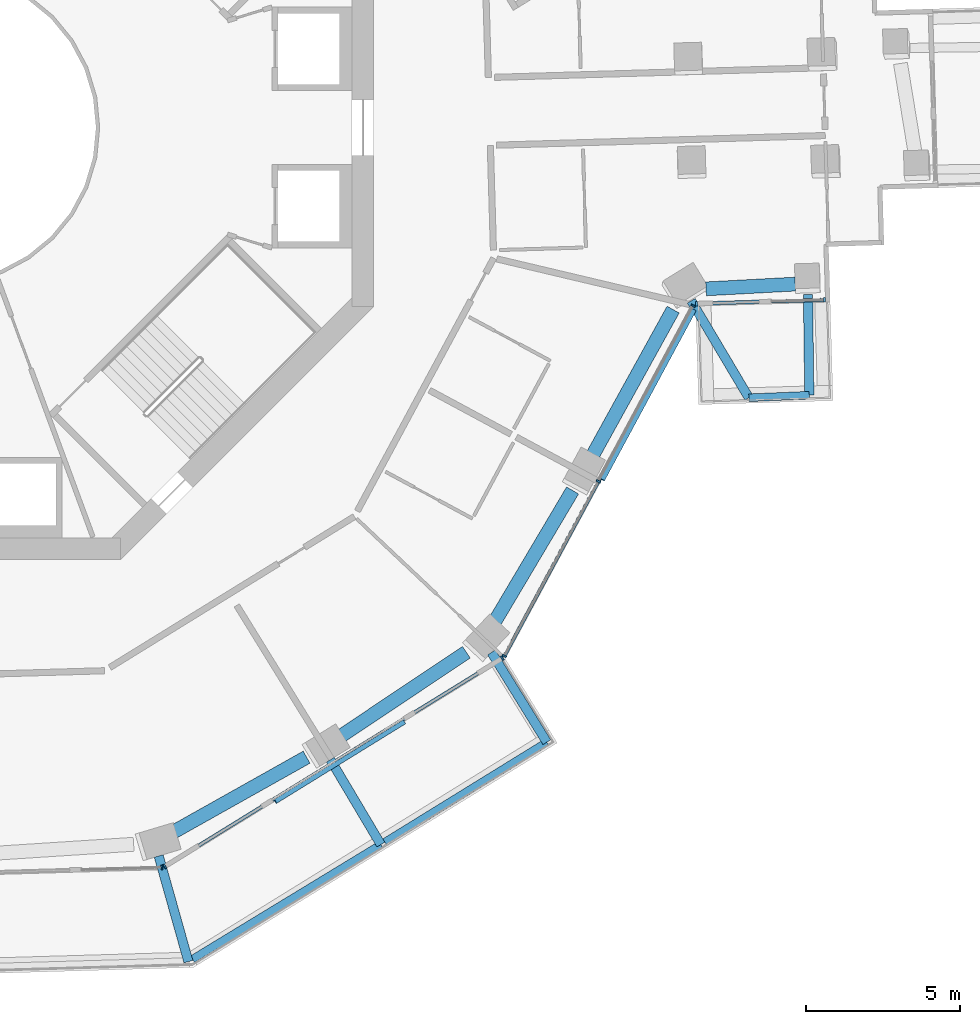
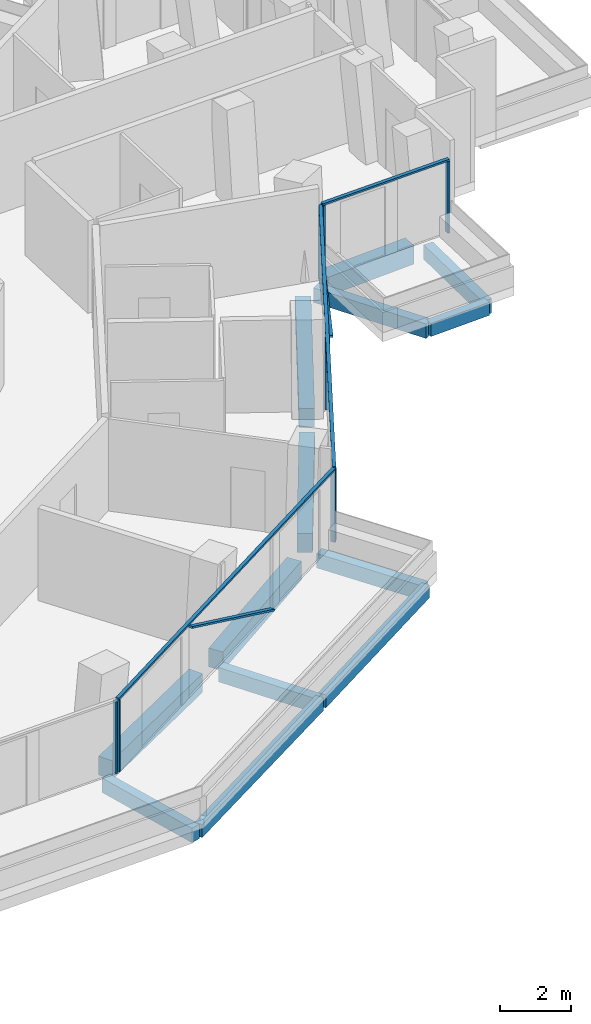
# One storey, part 5 of 22: 13 beams, 13 members, 4 elements without a shape of their own.
"""IFC4 building model written with IfcOpenShell, lengths in metres."""

from ifc_helpers import new_model, si_unit, direction, frame, origin, origin_2d, place, context, subcontext, project, spatial, rectangle, extrude, material, layer, layer_set, material_profile, profile_set, type_object, element, aggregate, save


model = new_model("IFC4")

# Units and contexts
model_context = context("Model", 3, precision=1e-05, world=origin(), true_north=direction((0.0, 1.0)))
body_context = subcontext(model_context, "Body", "Model", "MODEL_VIEW")
ifc_project = project(units=[si_unit("LENGTHUNIT", "METRE"), si_unit("AREAUNIT", "SQUARE_METRE"), si_unit("VOLUMEUNIT", "CUBIC_METRE"), si_unit("PLANEANGLEUNIT", "RADIAN"), si_unit("MASSUNIT", "GRAM", prefix="KILO")], contexts=[model_context])

# Site, building, storey
site_placement = place(None, origin())
site = spatial("IfcSite", under=ifc_project, at=site_placement, CompositionType="ELEMENT")
building_placement = place(site_placement, origin())
building = spatial("IfcBuilding", under=site, at=building_placement, Name="Verdalira Terraces Hotel", CompositionType="ELEMENT")
storey_placement = place(building_placement, frame((0.0, 0.0, 162.0)))
storey = spatial("IfcBuildingStorey", under=building, at=storey_placement, Name="L39", CompositionType="ELEMENT", Elevation=162.0)

# Beams
ifc_material_1 = material(Name="Concrete C40", Category="concrete")
ifc_material_profile_1 = material_profile(ifc_material_1, rectangle(XDim=0.300049, YDim=0.5, at=origin_2d()), Name="RC 300X500")
ifc_profile_set_1 = profile_set([ifc_material_profile_1], Name="Concrete C40")
beam_type_1 = type_object("IfcBeamType", Name="Balcony cantilever beam RC 300X500 C40", PredefinedType="BEAM", material=ifc_profile_set_1)
beam_1_placement = place(storey_placement, frame((7.031494, -23.61792, -0.560059), z_axis=(0.270938396, -0.962596689, 0.0), x_axis=(0.962596689, 0.270938396, 0.0)))
element("IfcBeam", 1, at=beam_1_placement, inside=storey, type_object=beam_type_1, Name="Balcony cantilever beam R25-3", PredefinedType="BEAM", context=body_context, shape_type="SweptSolid", body=[
    extrude(rectangle(XDim=0.300049, YDim=0.5, at=origin_2d()), origin(), (0.0, 0.0, 1.0), 3.556641),
])
beam_2_placement = place(storey_placement, frame((12.598389, -20.495605, -0.560059), z_axis=(0.510811886, -0.859692513, 0.0), x_axis=(0.859692513, 0.510811886, 0.0)))
element("IfcBeam", 2, at=beam_2_placement, inside=storey, type_object=beam_type_1, Name="Balcony cantilever beam R25-4", PredefinedType="BEAM", context=body_context, shape_type="SweptSolid", body=[
    extrude(rectangle(XDim=0.300049, YDim=0.5, at=origin_2d()), origin(), (0.0, 0.0, 1.0), 3.200928),
])
beam_3_placement = place(storey_placement, frame((17.81958, -17.018555, -0.560059), z_axis=(0.525193199, -0.850983022, 0.0), x_axis=(0.850983022, 0.525193199, 0.0)))
element("IfcBeam", 3, at=beam_3_placement, inside=storey, type_object=beam_type_1, Name="Balcony cantilever beam R25-5", PredefinedType="BEAM", context=body_context, shape_type="SweptSolid", body=[
    extrude(rectangle(XDim=0.300049, YDim=0.5, at=origin_2d()), origin(), (0.0, 0.0, 1.0), 3.417236),
])
beam_4_placement = place(storey_placement, frame((24.296387, -5.618896, -0.560059), z_axis=(0.510867361, -0.859659548, 0.0), x_axis=(0.859659548, 0.510867361, 0.0)))
element("IfcBeam", 4, at=beam_4_placement, inside=storey, type_object=beam_type_1, Name="Balcony cantilever beam R28-1", PredefinedType="BEAM", context=body_context, shape_type="SweptSolid", body=[
    extrude(rectangle(XDim=0.300049, YDim=0.5, at=origin_2d()), origin(), (0.0, 0.0, 1.0), 3.656006),
])
beam_5_placement = place(storey_placement, frame((28.081543, -5.410645, -0.560059), z_axis=(0.012622239, -0.999920336, 0.0), x_axis=(0.999920336, 0.012622239, 0.0)))
element("IfcBeam", 5, at=beam_5_placement, inside=storey, type_object=beam_type_1, Name="Balcony cantilever beam R28-2", PredefinedType="BEAM", context=body_context, shape_type="SweptSolid", body=[
    extrude(rectangle(XDim=0.300049, YDim=0.5, at=origin_2d()), origin(), (0.0, 0.0, 1.0), 3.268799),
])
ifc_material_2 = material(Name="Concrete C40", Category="concrete")
ifc_material_profile_2 = material_profile(ifc_material_2, rectangle(XDim=0.25, YDim=0.449951, at=origin_2d()), Name="RC 250X450")
ifc_profile_set_2 = profile_set([ifc_material_profile_2], Name="Concrete C40")
beam_type_2 = type_object("IfcBeamType", Name="Balcony edge beam RC 250X450 C40", PredefinedType="BEAM", material=ifc_profile_set_2)
beam_6_placement = place(storey_placement, frame((8.128174, -26.960693, -0.534912), z_axis=(0.854375318, 0.51965644, 0.0), x_axis=(-0.51965644, 0.854375318, 0.0)))
element("IfcBeam", 6, at=beam_6_placement, inside=storey, type_object=beam_type_2, Name="Balcony edge beam R25-3", PredefinedType="BEAM", context=body_context, shape_type="SweptSolid", body=[
    extrude(rectangle(XDim=0.25, YDim=0.449951, at=origin_2d()), origin(), (0.0, 0.0, 1.0), 7.145752),
])
beam_7_placement = place(storey_placement, frame((14.361084, -23.168457, -0.534912), z_axis=(0.850990884, 0.52518046, 0.0), x_axis=(-0.52518046, 0.850990884, 0.0)))
element("IfcBeam", 7, at=beam_7_placement, inside=storey, type_object=beam_type_2, Name="Balcony edge beam R25-4", PredefinedType="BEAM", context=body_context, shape_type="SweptSolid", body=[
    extrude(rectangle(XDim=0.25, YDim=0.449951, at=origin_2d()), origin(), (0.0, 0.0, 1.0), 6.173096),
])
beam_8_placement = place(storey_placement, frame((26.164062, -8.761719, -0.534912), z_axis=(0.999113758, 0.042091543, 0.0), x_axis=(-0.042091543, 0.999113758, 0.0)))
element("IfcBeam", 8, at=beam_8_placement, inside=storey, type_object=beam_type_2, Name="Balcony edge beam R28-1", PredefinedType="BEAM", context=body_context, shape_type="SweptSolid", body=[
    extrude(rectangle(XDim=0.25, YDim=0.449951, at=origin_2d()), origin(), (0.0, 0.0, 1.0), 1.960449),
])

# Curtain wall, member
ifc_material_3 = material(Name="Clear glass", Category="glass")
ifc_layer_1 = layer(ifc_material_3, 0.14990234375)
ifc_layer_set_1 = layer_set([ifc_layer_1], Name="CW1 curtain wall")
curtain_wall_type_1 = type_object("IfcCurtainWallType", Name="CW1 curtain wall", PredefinedType="NOTDEFINED", material=ifc_layer_set_1)
curtain_wall_1_placement = place(storey_placement, origin())
curtain_wall_1 = element("IfcCurtainWall", 9, at=curtain_wall_1_placement, inside=storey, type_object=curtain_wall_type_1, Name="CW1 curtain wall L39 edge 25", PredefinedType="NOTDEFINED")
ifc_material_4 = material(Name="Terracotta frame", Category="masonry")
ifc_material_profile_3 = material_profile(ifc_material_4, rectangle(XDim=0.060059, YDim=0.149902, at=origin_2d()), Name="MU 60x150")
ifc_profile_set_3 = profile_set([ifc_material_profile_3], Name="Terracotta frame")
member_type_1 = type_object("IfcMemberType", Name="CW1 mullion 60x150", PredefinedType="MULLION", material=ifc_profile_set_3)
member_1_placement = place(storey_placement, frame((7.135986, -23.984375, 0.0), z_axis=(0.0, 0.0, 1.0), x_axis=(0.999570155, 0.02931733, 0.0)))
member_1 = element("IfcMember", 10, at=member_1_placement, type_object=member_type_1, Name="CW1 mullion", PredefinedType="MULLION", context=body_context, shape_type="SweptSolid", body=[
    extrude(rectangle(XDim=0.060059, YDim=0.149902, at=origin_2d()), origin(), (0.0, 0.0, 1.0), 2.475098),
])
aggregate(curtain_wall_1, [member_1])

# Curtain wall, members
curtain_wall_2_placement = place(storey_placement, origin())
curtain_wall_2 = element("IfcCurtainWall", 11, at=curtain_wall_2_placement, inside=storey, type_object=curtain_wall_type_1, Name="CW1 curtain wall L39 edge 26", PredefinedType="NOTDEFINED")
member_2_placement = place(storey_placement, frame((7.22876, -23.956543, 0.0), z_axis=(0.0, 0.0, 1.0), x_axis=(0.850994482, 0.52517463, 0.0)))
member_2 = element("IfcMember", 12, at=member_2_placement, type_object=member_type_1, Name="CW1 mullion", PredefinedType="MULLION", context=body_context, shape_type="SweptSolid", body=[
    extrude(rectangle(XDim=0.060059, YDim=0.149902, at=origin_2d()), origin(), (0.0, 0.0, 1.0), 2.475098),
])
member_3_placement = place(storey_placement, frame((18.172119, -17.203125, 0.0), z_axis=(0.0, 0.0, 1.0), x_axis=(0.850994482, 0.52517463, 0.0)))
member_3 = element("IfcMember", 13, at=member_3_placement, type_object=member_type_1, Name="CW1 mullion", PredefinedType="MULLION", context=body_context, shape_type="SweptSolid", body=[
    extrude(rectangle(XDim=0.060059, YDim=0.149902, at=origin_2d()), origin(), (0.0, 0.0, 1.0), 2.475098),
])

curtain_wall_3_placement = place(storey_placement, origin())
curtain_wall_3 = element("IfcCurtainWall", 14, at=curtain_wall_3_placement, inside=storey, type_object=curtain_wall_type_1, Name="CW1 curtain wall L39 edge 27", PredefinedType="NOTDEFINED")
member_4_placement = place(storey_placement, frame((18.238525, -17.132812, 0.0), z_axis=(0.0, 0.0, 1.0), x_axis=(0.474395525, 0.880311812, 0.0)))
member_4 = element("IfcMember", 15, at=member_4_placement, type_object=member_type_1, Name="CW1 mullion", PredefinedType="MULLION", context=body_context, shape_type="SweptSolid", body=[
    extrude(rectangle(XDim=0.060059, YDim=0.149902, at=origin_2d()), origin(), (0.0, 0.0, 1.0), 2.475098),
])
member_5_placement = place(storey_placement, frame((21.288818, -11.472412, 0.0), z_axis=(0.0, 0.0, 1.0), x_axis=(0.474395525, 0.880311812, 0.0)))
member_5 = element("IfcMember", 16, at=member_5_placement, type_object=member_type_1, Name="CW1 mullion", PredefinedType="MULLION", context=body_context, shape_type="SweptSolid", body=[
    extrude(rectangle(XDim=0.060059, YDim=0.149902, at=origin_2d()), origin(), (0.0, 0.0, 1.0), 2.475098),
])
member_6_placement = place(storey_placement, frame((24.358154, -5.776855, 0.0), z_axis=(0.0, 0.0, 1.0), x_axis=(0.474395525, 0.880311812, 0.0)))
member_6 = element("IfcMember", 17, at=member_6_placement, type_object=member_type_1, Name="CW1 mullion", PredefinedType="MULLION", context=body_context, shape_type="SweptSolid", body=[
    extrude(rectangle(XDim=0.060059, YDim=0.149902, at=origin_2d()), origin(), (0.0, 0.0, 1.0), 2.475098),
])

# Member
ifc_material_5 = material(Name="Terracotta frame", Category="masonry")
ifc_material_profile_4 = material_profile(ifc_material_5, rectangle(XDim=0.110107, YDim=0.064941, at=origin_2d()), Name="TR 65x110")
ifc_profile_set_4 = profile_set([ifc_material_profile_4], Name="Terracotta frame")
member_type_2 = type_object("IfcMemberType", Name="CW1 transom 65x110", PredefinedType="USERDEFINED", material=ifc_profile_set_4)
member_7_placement = place(storey_placement, frame((7.203125, -23.972412, 2.507568), z_axis=(0.850993248, 0.52517663, 0.0), x_axis=(-0.52517663, 0.850993248, 0.0)))
member_7 = element("IfcMember", 18, at=member_7_placement, type_object=member_type_2, Name="CW1 transom", ObjectType="TRANSOM", PredefinedType="USERDEFINED", context=body_context, shape_type="SweptSolid", body=[
    extrude(rectangle(XDim=0.110107, YDim=0.064941, at=origin_2d()), origin(), (0.0, 0.0, 1.0), 12.919678),
])

member_8_placement = place(storey_placement, frame((18.224365, -17.15918, 2.507568), z_axis=(0.474401984, 0.880308331, 0.0), x_axis=(-0.880308331, 0.474401984, 0.0)))
member_8 = element("IfcMember", 19, at=member_8_placement, type_object=member_type_2, Name="CW1 transom", ObjectType="TRANSOM", PredefinedType="USERDEFINED", context=body_context, shape_type="SweptSolid", body=[
    extrude(rectangle(XDim=0.110107, YDim=0.064941, at=origin_2d()), origin(), (0.0, 0.0, 1.0), 12.959961),
])

# Curtain wall, members
ifc_material_6 = material(Name="Clear glass", Category="glass")
ifc_layer_2 = layer(ifc_material_6, 0.14990234375)
ifc_layer_set_2 = layer_set([ifc_layer_2], Name="CW2 curtain wall")
curtain_wall_type_2 = type_object("IfcCurtainWallType", Name="CW2 curtain wall", PredefinedType="NOTDEFINED", material=ifc_layer_set_2)
curtain_wall_4_placement = place(storey_placement, origin())
curtain_wall_4 = element("IfcCurtainWall", 20, at=curtain_wall_4_placement, inside=storey, type_object=curtain_wall_type_2, Name="CW2 curtain wall L39 edge 28", PredefinedType="NOTDEFINED")
ifc_material_7 = material(Name="Terracotta frame", Category="masonry")
ifc_material_profile_5 = material_profile(ifc_material_7, rectangle(XDim=0.070068, YDim=0.149902, at=origin_2d()), Name="MU 70x150")
ifc_profile_set_5 = profile_set([ifc_material_profile_5], Name="Terracotta frame")
member_type_3 = type_object("IfcMemberType", Name="CW2 mullion 70x150", PredefinedType="MULLION", material=ifc_profile_set_5)
member_9_placement = place(storey_placement, frame((24.471191, -5.709961, 0.0), z_axis=(0.0, 0.0, 1.0), x_axis=(0.999570155, 0.02931733, 0.0)))
member_9 = element("IfcMember", 21, at=member_9_placement, type_object=member_type_3, Name="CW2 mullion", PredefinedType="MULLION", context=body_context, shape_type="SweptSolid", body=[
    extrude(rectangle(XDim=0.070068, YDim=0.149902, at=origin_2d()), origin(), (0.0, 0.0, 1.0), 2.475098),
])
member_10_placement = place(storey_placement, frame((28.612549, -5.588623, 0.0), z_axis=(0.0, 0.0, 1.0), x_axis=(0.999570155, 0.02931733, 0.0)))
member_10 = element("IfcMember", 22, at=member_10_placement, type_object=member_type_3, Name="CW2 mullion", PredefinedType="MULLION", context=body_context, shape_type="SweptSolid", body=[
    extrude(rectangle(XDim=0.070068, YDim=0.149902, at=origin_2d()), origin(), (0.0, 0.0, 1.0), 2.475098),
])
ifc_material_8 = material(Name="Terracotta frame", Category="masonry")
ifc_material_profile_6 = material_profile(ifc_material_8, rectangle(XDim=0.11499, YDim=0.064941, at=origin_2d()), Name="TR 65x115")
ifc_profile_set_6 = profile_set([ifc_material_profile_6], Name="Terracotta frame")
member_type_4 = type_object("IfcMemberType", Name="CW2 transom 65x115", PredefinedType="USERDEFINED", material=ifc_profile_set_6)
member_11_placement = place(storey_placement, frame((24.436279, -5.710938, 2.507568), z_axis=(0.999571752, 0.029262825, 0.0), x_axis=(-0.029262825, 0.999571752, 0.0)))
member_11 = element("IfcMember", 23, at=member_11_placement, type_object=member_type_4, Name="CW2 transom", ObjectType="TRANSOM", PredefinedType="USERDEFINED", context=body_context, shape_type="SweptSolid", body=[
    extrude(rectangle(XDim=0.11499, YDim=0.064941, at=origin_2d()), origin(), (0.0, 0.0, 1.0), 4.213135),
])
aggregate(curtain_wall_4, [member_9, member_10, member_11])

# Member
ifc_material_9 = material(Name="Terracotta frame", Category="masonry")
ifc_material_profile_7 = material_profile(ifc_material_9, rectangle(XDim=0.149902, YDim=0.060059, at=origin_2d()), Name="GB 60x150")
ifc_profile_set_7 = profile_set([ifc_material_profile_7], Name="Terracotta frame")
member_type_5 = type_object("IfcMemberType", Name="Diagonal glazing bar 60x150", PredefinedType="USERDEFINED", material=ifc_profile_set_7)
member_12_placement = place(storey_placement, frame((10.810791, -21.85083, 2.447266), z_axis=(0.763296549, 0.471093603, -0.442096365), x_axis=(-0.525206958, 0.850974531, 0.0)))
member_12 = element("IfcMember", 24, at=member_12_placement, type_object=member_type_5, Name="Diagonal glazing bar", ObjectType="GLAZING BAR", PredefinedType="USERDEFINED", context=body_context, shape_type="SweptSolid", body=[
    extrude(rectangle(XDim=0.149902, YDim=0.060059, at=origin_2d()), origin(), (0.0, 0.0, 1.0), 5.472656),
])

aggregate(curtain_wall_2, [member_2, member_3, member_7, member_12])

member_13_placement = place(storey_placement, frame((21.416748, -11.422852, 2.446289), z_axis=(0.442536926, 0.821235917, -0.360184172), x_axis=(-0.880322064, 0.4743765, 0.0)))
member_13 = element("IfcMember", 25, at=member_13_placement, type_object=member_type_5, Name="Diagonal glazing bar", ObjectType="GLAZING BAR", PredefinedType="USERDEFINED", context=body_context, shape_type="SweptSolid", body=[
    extrude(rectangle(XDim=0.149902, YDim=0.060059, at=origin_2d()), origin(), (0.0, 0.0, 1.0), 6.71167),
])

aggregate(curtain_wall_3, [member_4, member_5, member_6, member_8, member_13])

# Beams
ifc_material_10 = material(Name="Concrete C50", Category="concrete")
ifc_material_profile_8 = material_profile(ifc_material_10, rectangle(XDim=0.449951, YDim=0.649902, at=origin_2d()), Name="RC 450X650")
ifc_profile_set_8 = profile_set([ifc_material_profile_8], Name="Concrete C50")
beam_type_3 = type_object("IfcBeamType", Name="Spandrel beam RC 450X650 C50", PredefinedType="SPANDREL", material=ifc_profile_set_8)
beam_9_placement = place(storey_placement, frame((7.452881, -22.869873, -0.63501), z_axis=(0.871971755, 0.489556185, 0.0), x_axis=(-0.489556185, 0.871971755, 0.0)))
element("IfcBeam", 26, at=beam_9_placement, inside=storey, type_object=beam_type_3, Name="Spandrel beam B11", PredefinedType="SPANDREL", context=body_context, shape_type="SweptSolid", body=[
    extrude(rectangle(XDim=0.449951, YDim=0.649902, at=origin_2d()), origin(), (0.0, 0.0, 1.0), 5.015381),
])
beam_10_placement = place(storey_placement, frame((12.834229, -19.796143, -0.63501), z_axis=(0.831930379, 0.554880028, 0.0), x_axis=(-0.554880028, 0.831930379, 0.0)))
element("IfcBeam", 27, at=beam_10_placement, inside=storey, type_object=beam_type_3, Name="Spandrel beam B12", PredefinedType="SPANDREL", context=body_context, shape_type="SweptSolid", body=[
    extrude(rectangle(XDim=0.449951, YDim=0.649902, at=origin_2d()), origin(), (0.0, 0.0, 1.0), 5.012451),
])
beam_11_placement = place(storey_placement, frame((17.889404, -16.079346, -0.63501), z_axis=(0.510388038, 0.859944214, 0.0), x_axis=(-0.859944214, 0.510388038, 0.0)))
element("IfcBeam", 28, at=beam_11_placement, inside=storey, type_object=beam_type_3, Name="Spandrel beam B13", PredefinedType="SPANDREL", context=body_context, shape_type="SweptSolid", body=[
    extrude(rectangle(XDim=0.449951, YDim=0.649902, at=origin_2d()), origin(), (0.0, 0.0, 1.0), 5.015381),
])
beam_12_placement = place(storey_placement, frame((21.027588, -10.756592, -0.63501), z_axis=(0.483488165, 0.875350898, 0.0), x_axis=(-0.875350898, 0.483488165, 0.0)))
element("IfcBeam", 29, at=beam_12_placement, inside=storey, type_object=beam_type_3, Name="Spandrel beam B14", PredefinedType="SPANDREL", context=body_context, shape_type="SweptSolid", body=[
    extrude(rectangle(XDim=0.449951, YDim=0.649902, at=origin_2d()), origin(), (0.0, 0.0, 1.0), 5.544922),
])
beam_13_placement = place(storey_placement, frame((24.775391, -5.231201, -0.63501), z_axis=(0.998572308, 0.05341671, 0.0), x_axis=(-0.05341671, 0.998572308, 0.0)))
element("IfcBeam", 30, at=beam_13_placement, inside=storey, type_object=beam_type_3, Name="Spandrel beam B15", PredefinedType="SPANDREL", context=body_context, shape_type="SweptSolid", body=[
    extrude(rectangle(XDim=0.449951, YDim=0.649902, at=origin_2d()), origin(), (0.0, 0.0, 1.0), 2.897705),
])

save(model, "model.ifc")
